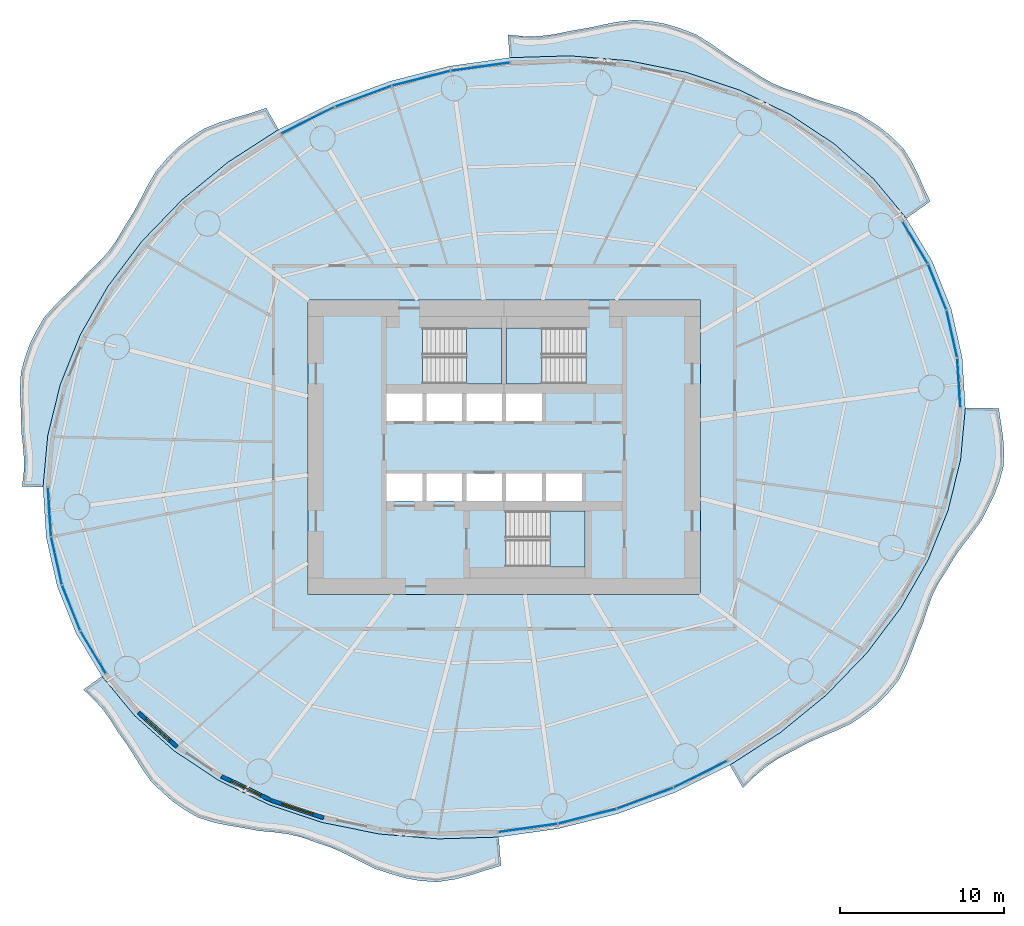
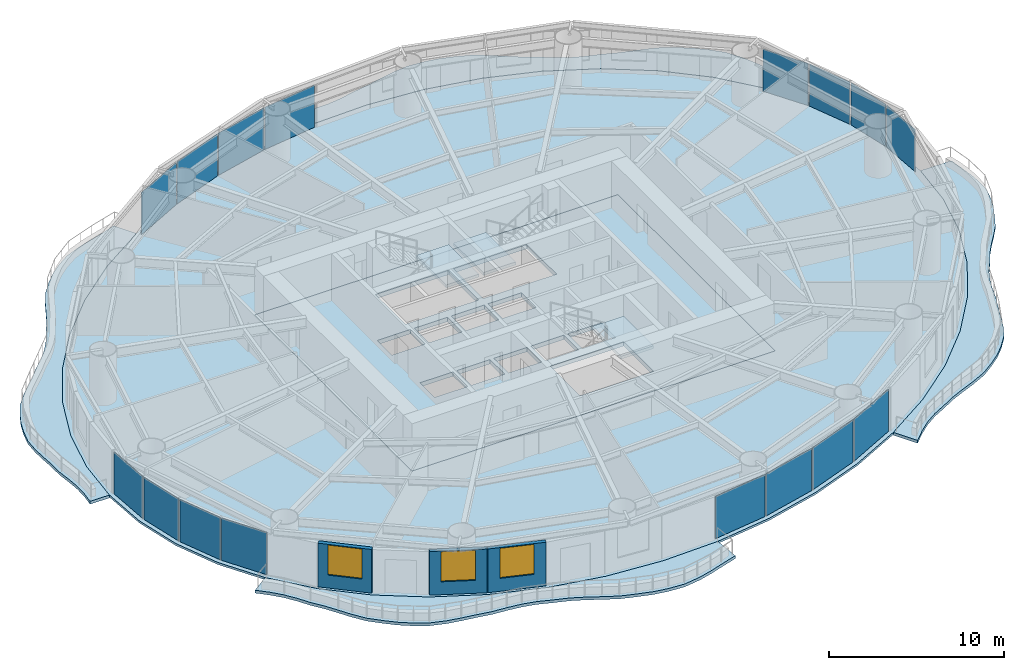
# One storey, part 7 of 16: 16 plates, 9 slabs, 3 walls, 3 windows, 3 openings, 19 elements without a shape of their own.
"""IFC4 building model written with IfcOpenShell, lengths in metres."""

from ifc_helpers import new_model, si_unit, direction, frame, frame_2d, origin, origin_2d, place, context, subcontext, project, spatial, polyline, rectangle, outline, extrude, material, layer, layer_set, type_object, element, fill, aggregate, save


model = new_model("IFC4")

# Units and contexts
model_context = context("Model", 3, precision=1e-05, world=origin(), true_north=direction((0.0, 1.0)))
body_context = subcontext(model_context, "Body", "Model", "MODEL_VIEW")
ifc_project = project(units=[si_unit("LENGTHUNIT", "METRE"), si_unit("AREAUNIT", "SQUARE_METRE"), si_unit("VOLUMEUNIT", "CUBIC_METRE"), si_unit("PLANEANGLEUNIT", "RADIAN"), si_unit("MASSUNIT", "GRAM", prefix="KILO")], contexts=[model_context])

# Site, building, storey
site_placement = place(None, origin())
site = spatial("IfcSite", under=ifc_project, at=site_placement, CompositionType="ELEMENT")
building_placement = place(site_placement, origin())
building = spatial("IfcBuilding", under=site, at=building_placement, Name="Vermilion Reach Broadcast Tower", CompositionType="ELEMENT")
storey_placement = place(building_placement, frame((0.0, 0.0, 103.0)))
storey = spatial("IfcBuildingStorey", under=building, at=storey_placement, Name="L23", CompositionType="ELEMENT", Elevation=103.0)

# Slabs
ifc_material_1 = material(Name="Concrete C40/50", Category="concrete")
ifc_layer_1 = layer(ifc_material_1, 0.199951171875)
ifc_layer_set_1 = layer_set([ifc_layer_1], Name="Balcony slab 200")
slab_type_1 = type_object("IfcSlabType", Name="Balcony slab 200", PredefinedType="FLOOR", material=ifc_layer_set_1)
placement_1 = place(storey_placement, frame((0.0, 0.0, -0.199951171875)))
element("IfcSlab", 1, at=placement_1, inside=storey, type_object=slab_type_1, Name="Balcony slab L23 group 1", PredefinedType="FLOOR", context=body_context, shape_type="SweptSolid", body=[
    extrude(outline(polyline([(18.583984375, 14.001953125), (16.572998046875, 16.417236328125), (14.175537109375, 18.5517578125), (11.432861328125, 20.368896484375), (8.39208984375, 21.83740234375), (5.10498046875, 22.932373046875), (1.6279296875, 23.634765625), (-1.979736328125, 23.932861328125), (-5.656005859375, 23.821533203125), (-5.776123046875, 25.227294921875), (-4.775634765625, 25.127197265625), (-3.85595703125, 25.13134765625), (-2.939453125, 25.245849609375), (-1.93994140625, 25.459716796875), (-0.931884765625, 25.623779296875), (-0.00732421875, 25.822509765625), (0.915771484375, 26.00634765625), (1.98095703125, 26.123779296875), (3.017578125, 26.0341796875), (3.89013671875, 25.875244140625), (4.742431640625, 25.61572265625), (5.719970703125, 25.2392578125), (6.606201171875, 24.697998046875), (7.34521484375, 24.176025390625), (8.087158203125, 23.662353515625), (8.929931640625, 23.161865234375), (9.71533203125, 22.6357421875), (10.456298828125, 22.228759765625), (11.238037109375, 21.90625), (12.145263671875, 21.6201171875), (13.0224609375, 21.278564453125), (13.84033203125, 21.024169921875), (14.663818359375, 20.77783203125), (15.614501953125, 20.419921875), (16.453369140625, 19.903564453125), (17.120849609375, 19.4462890625), (17.73388671875, 18.927978515625), (18.434326171875, 18.218017578125), (18.954833984375, 17.378173828125), (19.307861328125, 16.6494140625), (19.6337890625, 15.8984375), (20.041748046875, 15.0361328125), (18.583984375, 14.001953125)])), origin(), (0.0, 0.0, 1.0), 0.199951171875),
])
element("IfcSlab", 2, at=placement_1, inside=storey, type_object=slab_type_1, Name="Balcony slab L23 group 2", PredefinedType="FLOOR", context=body_context, shape_type="SweptSolid", body=[
    extrude(outline(polyline([(-19.79638671875, 19.422607421875), (-22.88720703125, 17.428955078125), (-25.689208984375, 15.136962890625), (-28.154052734375, 12.5859375), (-30.239990234375, 9.819580078125), (-31.9111328125, 6.88525390625), (-33.13916015625, 3.8330078125), (-33.902587890625, 0.71533203125), (-34.1884765625, -2.414794921875), (-35.4677734375, -2.39697265625), (-35.36376953125, -1.518310546875), (-35.349609375, -0.73046875), (-35.40966796875, 0.06396484375), (-35.517578125, 0.9853515625), (-35.5244140625, 1.938720703125), (-35.570068359375, 2.77587890625), (-35.5966796875, 3.608642578125), (-35.53564453125, 4.604248046875), (-35.26513671875, 5.574951171875), (-34.981689453125, 6.347412109375), (-34.615966796875, 7.086669921875), (-34.11328125, 7.94921875), (-33.4287109375, 8.720947265625), (-32.793701171875, 9.330810546875), (-32.155517578125, 9.93896484375), (-31.495849609375, 10.645751953125), (-30.78369140625, 11.314208984375), (-30.198974609375, 11.958251953125), (-29.692626953125, 12.6611328125), (-29.211181640625, 13.4892578125), (-28.67919921875, 14.326416015625), (-28.24462890625, 15.139892578125), (-27.82177734375, 15.964599609375), (-27.286376953125, 16.8720703125), (-26.598876953125, 17.67822265625), (-25.9599609375, 18.32666015625), (-25.25390625, 18.892822265625), (-24.37158203125, 19.4677734375), (-23.368408203125, 19.87109375), (-22.453369140625, 20.148681640625), (-21.529541015625, 20.4130859375), (-20.551025390625, 20.74658203125), (-19.79638671875, 19.422607421875)])), origin(), (0.0, 0.0, 1.0), 0.199951171875),
])
element("IfcSlab", 3, at=placement_1, inside=storey, type_object=slab_type_1, Name="Balcony slab L23 group 3", PredefinedType="FLOOR", context=body_context, shape_type="SweptSolid", body=[
    extrude(outline(polyline([(-30.583984375, -14.001953125), (-28.572998046875, -16.417236328125), (-26.175537109375, -18.5517578125), (-23.432861328125, -20.368896484375), (-20.39208984375, -21.83740234375), (-17.10498046875, -22.932373046875), (-13.6279296875, -23.634765625), (-10.020263671875, -23.932861328125), (-6.343994140625, -23.821533203125), (-6.1953125, -25.5634765625), (-7.20166015625, -25.871826171875), (-8.11279296875, -26.16552734375), (-9.025390625, -26.405517578125), (-10.0888671875, -26.562255859375), (-11.139892578125, -26.4931640625), (-12.03466796875, -26.330078125), (-12.92138671875, -26.073974609375), (-13.927001953125, -25.742919921875), (-14.864990234375, -25.279296875), (-15.683837890625, -24.853759765625), (-16.5126953125, -24.478759765625), (-17.434326171875, -24.168212890625), (-18.322998046875, -23.847900390625), (-19.16845703125, -23.6455078125), (-20.041748046875, -23.5263671875), (-21.040283203125, -23.433837890625), (-22.01025390625, -23.246826171875), (-22.87939453125, -23.105224609375), (-23.732666015625, -22.930419921875), (-24.715087890625, -22.620849609375), (-25.581298828125, -22.1220703125), (-26.25244140625, -21.64599609375), (-26.876220703125, -21.098388671875), (-27.598876953125, -20.39990234375), (-28.17236328125, -19.587646484375), (-28.609619140625, -18.8720703125), (-29.054443359375, -18.164794921875), (-29.605224609375, -17.416015625), (-30.077880859375, -16.64794921875), (-30.539794921875, -16.010009765625), (-31.064208984375, -15.42431640625), (-31.717529296875, -14.80615234375), (-30.583984375, -14.001953125)])), origin(), (0.0, 0.0, 1.0), 0.199951171875),
])
element("IfcSlab", 4, at=placement_1, inside=storey, type_object=slab_type_1, Name="Balcony slab L23 group 4", PredefinedType="FLOOR", context=body_context, shape_type="SweptSolid", body=[
    extrude(outline(polyline([(7.79638671875, -19.422607421875), (10.88720703125, -17.428955078125), (13.689208984375, -15.136962890625), (16.154052734375, -12.5859375), (18.239990234375, -9.819580078125), (19.9111328125, -6.88525390625), (21.13916015625, -3.8330078125), (21.902587890625, -0.71533203125), (22.1884765625, 2.414794921875), (24.228271484375, 2.386474609375), (24.3701171875, 1.42626953125), (24.490234375, 0.626220703125), (24.5517578125, -0.16845703125), (24.521240234375, -1.153076171875), (24.2607421875, -2.118896484375), (23.9677734375, -2.87353515625), (23.60791015625, -3.611328125), (23.1650390625, -4.485107421875), (22.570556640625, -5.29541015625), (22.041259765625, -5.968994140625), (21.54931640625, -6.65771484375), (21.085693359375, -7.45263671875), (20.579833984375, -8.237548828125), (20.198974609375, -8.9921875), (19.89501953125, -9.79052734375), (19.6005859375, -10.714599609375), (19.21728515625, -11.641357421875), (18.905029296875, -12.490478515625), (18.571533203125, -13.323974609375), (18.09619140625, -14.24560546875), (17.4375, -15.059326171875), (16.813720703125, -15.689697265625), (16.117431640625, -16.250244140625), (15.26611328125, -16.849853515625), (14.298095703125, -17.310546875), (13.423828125, -17.671142578125), (12.564697265625, -18.05029296875), (11.686279296875, -18.5263671875), (10.796630859375, -18.98486328125), (10.031005859375, -19.494140625), (9.32373046875, -20.09375), (8.590576171875, -20.81591796875), (7.79638671875, -19.422607421875)])), origin(), (0.0, 0.0, 1.0), 0.199951171875),
])
ifc_material_2 = material(Name="Concrete C40", Category="concrete")
ifc_layer_2 = layer(ifc_material_2, 0.300048828125)
ifc_layer_set_2 = layer_set([ifc_layer_2], Name="Core floor slab 300 mm Concrete C40")
slab_type_2 = type_object("IfcSlabType", Name="Core floor slab 300 mm Concrete C40", PredefinedType="FLOOR", material=ifc_layer_set_2)
slab_5_placement = place(storey_placement, frame((0.0, 0.0, -0.300048828125)))
element("IfcSlab", 5, at=slab_5_placement, inside=storey, type_object=slab_type_2, Name="L23 core floor", PredefinedType="FLOOR", context=body_context, shape_type="SweptSolid", body=[
    extrude(outline(polyline([(-18.0, -9.0), (6.0, -9.0), (6.0, 9.0), (-18.0, 9.0), (-18.0, -9.0)]), holes=[polyline([(-13.199951171875, 1.60009765625), (-11.00830078125, 1.60009765625), (-11.00830078125, 3.280029296875), (-13.199951171875, 3.280029296875), (-13.199951171875, 1.60009765625)]), polyline([(-10.75830078125, 1.60009765625), (-8.566650390625, 1.60009765625), (-8.566650390625, 3.280029296875), (-10.75830078125, 3.280029296875), (-10.75830078125, 1.60009765625)]), polyline([(-8.316650390625, 1.60009765625), (-6.125, 1.60009765625), (-6.125, 3.280029296875), (-8.316650390625, 3.280029296875), (-8.316650390625, 1.60009765625)]), polyline([(-5.875, 1.60009765625), (-3.683349609375, 1.60009765625), (-3.683349609375, 3.280029296875), (-5.875, 3.280029296875), (-5.875, 1.60009765625)]), polyline([(-13.199951171875, -3.280029296875), (-11.00830078125, -3.280029296875), (-11.00830078125, -1.60009765625), (-13.199951171875, -1.60009765625), (-13.199951171875, -3.280029296875)]), polyline([(-10.75830078125, -3.280029296875), (-8.566650390625, -3.280029296875), (-8.566650390625, -1.60009765625), (-10.75830078125, -1.60009765625), (-10.75830078125, -3.280029296875)]), polyline([(-8.316650390625, -3.280029296875), (-6.125, -3.280029296875), (-6.125, -1.60009765625), (-8.316650390625, -1.60009765625), (-8.316650390625, -3.280029296875)]), polyline([(-5.875, -3.280029296875), (-3.683349609375, -3.280029296875), (-3.683349609375, -1.60009765625), (-5.875, -1.60009765625), (-5.875, -3.280029296875)]), polyline([(-3.433349609375, -3.280029296875), (-1.24169921875, -3.280029296875), (-1.24169921875, -1.60009765625), (-3.433349609375, -1.60009765625), (-3.433349609375, -3.280029296875)]), polyline([(-10.999267578125, 3.8798828125), (-6.14990234375, 3.8798828125), (-6.14990234375, 7.300048828125), (-10.999267578125, 7.300048828125), (-10.999267578125, 3.8798828125)]), polyline([(-1.000732421875, 7.300048828125), (-5.85009765625, 7.300048828125), (-5.85009765625, 3.8798828125), (-1.000732421875, 3.8798828125), (-1.000732421875, 7.300048828125)]), polyline([(-5.8994140625, -7.300048828125), (-1.050048828125, -7.300048828125), (-1.050048828125, -3.8798828125), (-5.8994140625, -3.8798828125), (-5.8994140625, -7.300048828125)])]), origin(), (0.0, 0.0, 1.0), 0.300048828125),
])

# Stair, slab
ifc_material_3 = material(Name="Concrete C40", Category="concrete")
stair_type = type_object("IfcStairType", Name="Exit stair RC 22 risers 164 mm", PredefinedType="HALF_TURN_STAIR", material=ifc_material_3)
placement_2 = place(storey_placement, origin())
stair_1 = element("IfcStair", 6, at=placement_2, inside=storey, type_object=stair_type, Name="L23 Exit stair ST1", PredefinedType="HALF_TURN_STAIR")
ifc_material_4 = material(Name="Concrete C40", Category="concrete")
ifc_layer_3 = layer(ifc_material_4, 0.199951171875)
ifc_layer_set_3 = layer_set([ifc_layer_3], Name="Exit stair landing Concrete C40")
slab_type_3 = type_object("IfcSlabType", Name="Exit stair landing Concrete C40", PredefinedType="LANDING", material=ifc_layer_set_3)
placement_3 = place(storey_placement, frame((0.0, 0.0, 1.60009765625)))
slab_6 = element("IfcSlab", 7, at=placement_3, type_object=slab_type_3, Name="ST1 landing 1", PredefinedType="LANDING", context=body_context, shape_type="SweptSolid", body=[
    extrude(outline(polyline([(-8.300048828125, 3.8798828125), (-6.14990234375, 3.8798828125), (-6.14990234375, 7.300048828125), (-8.300048828125, 7.300048828125), (-8.300048828125, 3.8798828125)])), origin(), (0.0, 0.0, 1.0), 0.199951171875),
])
aggregate(stair_1, [slab_6])

stair_2 = element("IfcStair", 8, at=placement_2, inside=storey, type_object=stair_type, Name="L23 Exit stair ST2", PredefinedType="HALF_TURN_STAIR")
slab_7 = element("IfcSlab", 9, at=placement_3, type_object=slab_type_3, Name="ST2 landing 1", PredefinedType="LANDING", context=body_context, shape_type="SweptSolid", body=[
    extrude(outline(polyline([(-3.699951171875, 7.300048828125), (-5.85009765625, 7.300048828125), (-5.85009765625, 3.8798828125), (-3.699951171875, 3.8798828125), (-3.699951171875, 7.300048828125)])), origin(), (0.0, 0.0, 1.0), 0.199951171875),
])
aggregate(stair_2, [slab_7])

stair_3 = element("IfcStair", 10, at=placement_2, inside=storey, type_object=stair_type, Name="L23 Exit stair ST3", PredefinedType="HALF_TURN_STAIR")
slab_8 = element("IfcSlab", 11, at=placement_3, type_object=slab_type_3, Name="ST3 landing 1", PredefinedType="LANDING", context=body_context, shape_type="SweptSolid", body=[
    extrude(outline(polyline([(-3.199951171875, -7.300048828125), (-1.050048828125, -7.300048828125), (-1.050048828125, -3.8798828125), (-3.199951171875, -3.8798828125), (-3.199951171875, -7.300048828125)])), origin(), (0.0, 0.0, 1.0), 0.199951171875),
])
aggregate(stair_3, [slab_8])

# Slab
ifc_material_5 = material(Name="Concrete C40", Category="concrete")
ifc_layer_4 = layer(ifc_material_5, 0.14990234375)
ifc_layer_set_4 = layer_set([ifc_layer_4], Name="Floor slab Concrete C40 composite 150")
slab_type_4 = type_object("IfcSlabType", Name="Floor slab Concrete C40 composite 150", PredefinedType="FLOOR", material=ifc_layer_set_4)
slab_9_placement = place(storey_placement, frame((0.0, 0.0, -0.14990234375)))
element("IfcSlab", 12, at=slab_9_placement, inside=storey, type_object=slab_type_4, Name="Floor slab L23", PredefinedType="FLOOR", context=body_context, shape_type="SweptSolid", body=[
    extrude(outline(polyline([(21.317138671875, 8.497802734375), (20.174560546875, 11.346923828125), (18.583984375, 14.001953125), (16.572998046875, 16.417236328125), (14.175537109375, 18.5517578125), (11.432861328125, 20.368896484375), (8.39208984375, 21.83740234375), (5.10498046875, 22.932373046875), (1.6279296875, 23.634765625), (-1.979736328125, 23.932861328125), (-5.656005859375, 23.821533203125), (-9.33837890625, 23.302490234375), (-12.963623046875, 22.384765625), (-16.469482421875, 21.084228515625), (-19.79638671875, 19.422607421875), (-22.88720703125, 17.428955078125), (-25.689208984375, 15.136962890625), (-28.154052734375, 12.5859375), (-30.239990234375, 9.819580078125), (-31.9111328125, 6.88525390625), (-33.13916015625, 3.8330078125), (-33.902587890625, 0.71533203125), (-34.1884765625, -2.414794921875), (-33.992431640625, -5.50341796875), (-33.317138671875, -8.497802734375), (-32.174560546875, -11.346923828125), (-30.583984375, -14.001953125), (-28.572998046875, -16.417236328125), (-26.175537109375, -18.5517578125), (-23.432861328125, -20.368896484375), (-20.39208984375, -21.83740234375), (-17.10498046875, -22.932373046875), (-13.6279296875, -23.634765625), (-10.020263671875, -23.932861328125), (-6.343994140625, -23.821533203125), (-2.66162109375, -23.302490234375), (0.963623046875, -22.384765625), (4.469482421875, -21.084228515625), (7.79638671875, -19.422607421875), (10.88720703125, -17.428955078125), (13.689208984375, -15.136962890625), (16.154052734375, -12.5859375), (18.239990234375, -9.819580078125), (19.9111328125, -6.88525390625), (21.13916015625, -3.8330078125), (21.902587890625, -0.71533203125), (22.1884765625, 2.414794921875), (21.992431640625, 5.50341796875), (21.317138671875, 8.497802734375)]), holes=[polyline([(-18.0, -9.0), (6.0, -9.0), (6.0, 9.0), (-18.0, 9.0), (-18.0, -9.0)])]), origin(), (0.0, 0.0, 1.0), 0.14990234375),
])

# Curtain wall, plate
ifc_material_6 = material(Name="Low-e laminated clear glass in aluminium frame", Category="aluminium")
curtain_wall_type = type_object("IfcCurtainWallType", Name="Slot curtain wall", PredefinedType="NOTDEFINED", material=ifc_material_6)
curtain_wall_1 = element("IfcCurtainWall", 13, at=placement_2, inside=storey, type_object=curtain_wall_type, Name="Slot curtain wall L23 46", PredefinedType="NOTDEFINED")
ifc_material_7 = material(Name="Low-e laminated clear glass", Category="glass")
ifc_layer_5 = layer(ifc_material_7, 0.028076171875)
ifc_layer_set_5 = layer_set([ifc_layer_5], Name="Slot glass panel")
plate_type = type_object("IfcPlateType", Name="Slot glass panel", PredefinedType="CURTAIN_PANEL", material=ifc_layer_set_5)
plate_1_placement = place(storey_placement, frame((21.7919921875, 3.93994140625, 0.0), z_axis=(0.0, 0.0, 1.0), x_axis=(-0.063408598008, 0.997987650073, 0.0)))
plate_1 = element("IfcPlate", 14, at=plate_1_placement, type_object=plate_type, Name="Slot glass panel L23 46", PredefinedType="CURTAIN_PANEL", context=body_context, shape_type="SweptSolid", body=[
    extrude(rectangle(XDim=2.968017578125, YDim=0.028076171875, at=origin_2d()), origin(), (0.0, 0.0, 1.0), 2.949951171875),
])
aggregate(curtain_wall_1, [plate_1])

curtain_wall_2 = element("IfcCurtainWall", 15, at=placement_2, inside=storey, type_object=curtain_wall_type, Name="Slot curtain wall L23 47", PredefinedType="NOTDEFINED")
plate_2_placement = place(storey_placement, frame((21.363037109375, 6.934814453125, 0.0), z_axis=(0.0, 0.0, 1.0), x_axis=(-0.219961471923, 0.975508560121, 0.0)))
plate_2 = element("IfcPlate", 16, at=plate_2_placement, type_object=plate_type, Name="Slot glass panel L23 47", PredefinedType="CURTAIN_PANEL", context=body_context, shape_type="SweptSolid", body=[
    extrude(rectangle(XDim=2.94189453125, YDim=0.028076171875, at=origin_2d()), origin(), (0.0, 0.0, 1.0), 2.949951171875),
])
aggregate(curtain_wall_2, [plate_2])

curtain_wall_3 = element("IfcCurtainWall", 17, at=placement_2, inside=storey, type_object=curtain_wall_type, Name="Slot curtain wall L23 00", PredefinedType="NOTDEFINED")
plate_3_placement = place(storey_placement, frame((20.46826171875, 9.81103515625, 0.0), z_axis=(0.0, 0.0, 1.0), x_axis=(-0.372230241987, 0.928140424155, 0.0)))
plate_3 = element("IfcPlate", 18, at=plate_3_placement, type_object=plate_type, Name="Slot glass panel L23 00", PredefinedType="CURTAIN_PANEL", context=body_context, shape_type="SweptSolid", body=[
    extrude(rectangle(XDim=2.94189453125, YDim=0.028076171875, at=origin_2d()), origin(), (0.0, 0.0, 1.0), 2.949951171875),
])
aggregate(curtain_wall_3, [plate_3])

curtain_wall_4 = element("IfcCurtainWall", 19, at=placement_2, inside=storey, type_object=curtain_wall_type, Name="Slot curtain wall L23 01", PredefinedType="NOTDEFINED")
plate_4_placement = place(storey_placement, frame((19.12255859375, 12.52099609375, 0.0), z_axis=(0.0, 0.0, 1.0), x_axis=(-0.513908254626, 0.857845152593, 0.0)))
plate_4 = element("IfcPlate", 20, at=plate_4_placement, type_object=plate_type, Name="Slot glass panel L23 01", PredefinedType="CURTAIN_PANEL", context=body_context, shape_type="SweptSolid", body=[
    extrude(rectangle(XDim=2.968017578125, YDim=0.028076171875, at=origin_2d()), origin(), (0.0, 0.0, 1.0), 2.949951171875),
])
aggregate(curtain_wall_4, [plate_4])

curtain_wall_5 = element("IfcCurtainWall", 21, at=placement_2, inside=storey, type_object=curtain_wall_type, Name="Slot curtain wall L23 10", PredefinedType="NOTDEFINED")
plate_5_placement = place(storey_placement, frame((-7.45556640625, 23.265380859375, 0.0), z_axis=(0.0, 0.0, 1.0), x_axis=(-0.990213490397, -0.139560895081, 0.0)))
plate_5 = element("IfcPlate", 22, at=plate_5_placement, type_object=plate_type, Name="Slot glass panel L23 10", PredefinedType="CURTAIN_PANEL", context=body_context, shape_type="SweptSolid", body=[
    extrude(rectangle(XDim=3.606201171875, YDim=0.028076171875, at=origin_2d()), origin(), (0.0, 0.0, 1.0), 2.949951171875),
])
aggregate(curtain_wall_5, [plate_5])

curtain_wall_6 = element("IfcCurtainWall", 23, at=placement_2, inside=storey, type_object=curtain_wall_type, Name="Slot curtain wall L23 11", PredefinedType="NOTDEFINED")
plate_6_placement = place(storey_placement, frame((-11.077392578125, 22.55322265625, 0.0), z_axis=(0.0, 0.0, 1.0), x_axis=(-0.969420975474, -0.245403692538, 0.0)))
plate_6 = element("IfcPlate", 24, at=plate_6_placement, type_object=plate_type, Name="Slot glass panel L23 11", PredefinedType="CURTAIN_PANEL", context=body_context, shape_type="SweptSolid", body=[
    extrude(rectangle(XDim=3.627197265625, YDim=0.028076171875, at=origin_2d()), origin(), (0.0, 0.0, 1.0), 2.949951171875),
])
aggregate(curtain_wall_6, [plate_6])

curtain_wall_7 = element("IfcCurtainWall", 25, at=placement_2, inside=storey, type_object=curtain_wall_type, Name="Slot curtain wall L23 12", PredefinedType="NOTDEFINED")
plate_7_placement = place(storey_placement, frame((-14.6123046875, 21.45361328125, 0.0), z_axis=(0.0, 0.0, 1.0), x_axis=(-0.937559599997, -0.347824663377, 0.0)))
plate_7 = element("IfcPlate", 26, at=plate_7_placement, type_object=plate_type, Name="Slot glass panel L23 12", PredefinedType="CURTAIN_PANEL", context=body_context, shape_type="SweptSolid", body=[
    extrude(rectangle(XDim=3.627197265625, YDim=0.028076171875, at=origin_2d()), origin(), (0.0, 0.0, 1.0), 2.949951171875),
])
aggregate(curtain_wall_7, [plate_7])

curtain_wall_8 = element("IfcCurtainWall", 27, at=placement_2, inside=storey, type_object=curtain_wall_type, Name="Slot curtain wall L23 13", PredefinedType="NOTDEFINED")
plate_8_placement = place(storey_placement, frame((-17.9990234375, 19.9853515625, 0.0), z_axis=(0.0, 0.0, 1.0), x_axis=(-0.894641840809, -0.446784038069, 0.0)))
plate_8 = element("IfcPlate", 28, at=plate_8_placement, type_object=plate_type, Name="Slot glass panel L23 13", PredefinedType="CURTAIN_PANEL", context=body_context, shape_type="SweptSolid", body=[
    extrude(rectangle(XDim=3.606201171875, YDim=0.028076171875, at=origin_2d()), origin(), (0.0, 0.0, 1.0), 2.949951171875),
])
aggregate(curtain_wall_8, [plate_8])

curtain_wall_9 = element("IfcCurtainWall", 29, at=placement_2, inside=storey, type_object=curtain_wall_type, Name="Slot curtain wall L23 22", PredefinedType="NOTDEFINED")
plate_9_placement = place(storey_placement, frame((-33.7919921875, -3.93994140625, 0.0), z_axis=(0.0, 0.0, 1.0), x_axis=(0.063408598008, -0.997987650073, 0.0)))
plate_9 = element("IfcPlate", 30, at=plate_9_placement, type_object=plate_type, Name="Slot glass panel L23 22", PredefinedType="CURTAIN_PANEL", context=body_context, shape_type="SweptSolid", body=[
    extrude(rectangle(XDim=2.968017578125, YDim=0.028076171875, at=origin_2d()), origin(), (0.0, 0.0, 1.0), 2.949951171875),
])
aggregate(curtain_wall_9, [plate_9])

curtain_wall_10 = element("IfcCurtainWall", 31, at=placement_2, inside=storey, type_object=curtain_wall_type, Name="Slot curtain wall L23 23", PredefinedType="NOTDEFINED")
plate_10_placement = place(storey_placement, frame((-33.363037109375, -6.934814453125, 0.0), z_axis=(0.0, 0.0, 1.0), x_axis=(0.219961471923, -0.975508560121, 0.0)))
plate_10 = element("IfcPlate", 32, at=plate_10_placement, type_object=plate_type, Name="Slot glass panel L23 23", PredefinedType="CURTAIN_PANEL", context=body_context, shape_type="SweptSolid", body=[
    extrude(rectangle(XDim=2.94189453125, YDim=0.028076171875, at=origin_2d()), origin(), (0.0, 0.0, 1.0), 2.949951171875),
])
aggregate(curtain_wall_10, [plate_10])

curtain_wall_11 = element("IfcCurtainWall", 33, at=placement_2, inside=storey, type_object=curtain_wall_type, Name="Slot curtain wall L23 24", PredefinedType="NOTDEFINED")
plate_11_placement = place(storey_placement, frame((-32.46826171875, -9.81103515625, 0.0), z_axis=(0.0, 0.0, 1.0), x_axis=(0.372230241987, -0.928140424155, 0.0)))
plate_11 = element("IfcPlate", 34, at=plate_11_placement, type_object=plate_type, Name="Slot glass panel L23 24", PredefinedType="CURTAIN_PANEL", context=body_context, shape_type="SweptSolid", body=[
    extrude(rectangle(XDim=2.94189453125, YDim=0.028076171875, at=origin_2d()), origin(), (0.0, 0.0, 1.0), 2.949951171875),
])
aggregate(curtain_wall_11, [plate_11])

curtain_wall_12 = element("IfcCurtainWall", 35, at=placement_2, inside=storey, type_object=curtain_wall_type, Name="Slot curtain wall L23 25", PredefinedType="NOTDEFINED")
plate_12_placement = place(storey_placement, frame((-31.12255859375, -12.52099609375, 0.0), z_axis=(0.0, 0.0, 1.0), x_axis=(0.513908254626, -0.857845152593, 0.0)))
plate_12 = element("IfcPlate", 36, at=plate_12_placement, type_object=plate_type, Name="Slot glass panel L23 25", PredefinedType="CURTAIN_PANEL", context=body_context, shape_type="SweptSolid", body=[
    extrude(rectangle(XDim=2.968017578125, YDim=0.028076171875, at=origin_2d()), origin(), (0.0, 0.0, 1.0), 2.949951171875),
])
aggregate(curtain_wall_12, [plate_12])

curtain_wall_13 = element("IfcCurtainWall", 37, at=placement_2, inside=storey, type_object=curtain_wall_type, Name="Slot curtain wall L23 34", PredefinedType="NOTDEFINED")
plate_13_placement = place(storey_placement, frame((-4.54443359375, -23.265380859375, 0.0), z_axis=(0.0, 0.0, 1.0), x_axis=(0.990213490397, 0.139560895081, 0.0)))
plate_13 = element("IfcPlate", 38, at=plate_13_placement, type_object=plate_type, Name="Slot glass panel L23 34", PredefinedType="CURTAIN_PANEL", context=body_context, shape_type="SweptSolid", body=[
    extrude(rectangle(XDim=3.606201171875, YDim=0.028076171875, at=origin_2d()), origin(), (0.0, 0.0, 1.0), 2.949951171875),
])
aggregate(curtain_wall_13, [plate_13])

curtain_wall_14 = element("IfcCurtainWall", 39, at=placement_2, inside=storey, type_object=curtain_wall_type, Name="Slot curtain wall L23 35", PredefinedType="NOTDEFINED")
plate_14_placement = place(storey_placement, frame((-0.922607421875, -22.55322265625, 0.0), z_axis=(0.0, 0.0, 1.0), x_axis=(0.969420975474, 0.245403692538, 0.0)))
plate_14 = element("IfcPlate", 40, at=plate_14_placement, type_object=plate_type, Name="Slot glass panel L23 35", PredefinedType="CURTAIN_PANEL", context=body_context, shape_type="SweptSolid", body=[
    extrude(rectangle(XDim=3.627197265625, YDim=0.028076171875, at=origin_2d()), origin(), (0.0, 0.0, 1.0), 2.949951171875),
])
aggregate(curtain_wall_14, [plate_14])

curtain_wall_15 = element("IfcCurtainWall", 41, at=placement_2, inside=storey, type_object=curtain_wall_type, Name="Slot curtain wall L23 36", PredefinedType="NOTDEFINED")
plate_15_placement = place(storey_placement, frame((2.6123046875, -21.45361328125, 0.0), z_axis=(0.0, 0.0, 1.0), x_axis=(0.937559599997, 0.347824663377, 0.0)))
plate_15 = element("IfcPlate", 42, at=plate_15_placement, type_object=plate_type, Name="Slot glass panel L23 36", PredefinedType="CURTAIN_PANEL", context=body_context, shape_type="SweptSolid", body=[
    extrude(rectangle(XDim=3.627197265625, YDim=0.028076171875, at=origin_2d()), origin(), (0.0, 0.0, 1.0), 2.949951171875),
])
aggregate(curtain_wall_15, [plate_15])

curtain_wall_16 = element("IfcCurtainWall", 43, at=placement_2, inside=storey, type_object=curtain_wall_type, Name="Slot curtain wall L23 37", PredefinedType="NOTDEFINED")
plate_16_placement = place(storey_placement, frame((5.9990234375, -19.9853515625, 0.0), z_axis=(0.0, 0.0, 1.0), x_axis=(0.894641840809, 0.446784038069, 0.0)))
plate_16 = element("IfcPlate", 44, at=plate_16_placement, type_object=plate_type, Name="Slot glass panel L23 37", PredefinedType="CURTAIN_PANEL", context=body_context, shape_type="SweptSolid", body=[
    extrude(rectangle(XDim=3.606201171875, YDim=0.028076171875, at=origin_2d()), origin(), (0.0, 0.0, 1.0), 2.949951171875),
])
aggregate(curtain_wall_16, [plate_16])

# Wall, opening, window
ifc_material_8 = material(Name="Terracotta rainscreen cladding", Category="masonry")
ifc_layer_6 = layer(ifc_material_8, 0.25)
ifc_layer_set_6 = layer_set([ifc_layer_6], Name="Terracotta rainscreen wall 250")
wall_type = type_object("IfcWallType", Name="Terracotta rainscreen wall 250", PredefinedType="SOLIDWALL", material=ifc_layer_set_6)
wall_1_placement = place(storey_placement, frame((-28.347412109375, -16.217529296875, 0.0), z_axis=(0.0, 0.0, 1.0), x_axis=(0.746859935175, -0.664981381116, 0.0)))
wall_1 = element("IfcWall", 45, at=wall_1_placement, inside=storey, type_object=wall_type, Name="External wall L23 27", PredefinedType="SOLIDWALL", context=body_context, shape_type="SweptSolid", body=[
    extrude(rectangle(XDim=3.139892578125, YDim=0.25, at=frame_2d((1.56982421875, 0.0))), origin(), (0.0, 0.0, 1.0), 3.050048828125),
])
opening_1_placement = place(wall_1_placement, frame((0.570068359375, 0.0, 0.89990234375)))
opening_1 = element("IfcOpeningElement", 46, at=opening_1_placement, cuts=wall_1, Name="Opening W03", PredefinedType="OPENING", context=body_context, shape_type="SweptSolid", body=[
    extrude(rectangle(XDim=2.0, YDim=2.10009765625, at=frame_2d((1.0, 1.050048828125))), frame((0.0, 0.135009765625, 0.0), z_axis=(0.0, -1.0, 0.0), x_axis=(1.0, 0.0, 0.0)), (0.0, 0.0, 1.0), 0.27001953125),
])
ifc_material_9 = material(Name="Low-e laminated clear glass in aluminium frame", Category="aluminium")
window_type = type_object("IfcWindowType", Name="Punched window 2000 x 2100 sill 900", PartitioningType="SINGLE_PANEL", PredefinedType="WINDOW", material=ifc_material_9)
window_1_placement = place(opening_1_placement, origin())
window_1 = element("IfcWindow", 47, at=window_1_placement, inside=storey, type_object=window_type, Name="Window L23 27", OverallHeight=2.10009765625, OverallWidth=2.0, PartitioningType="SINGLE_PANEL", PredefinedType="WINDOW", context=body_context, shape_type="SweptSolid", body=[
    extrude(rectangle(XDim=2.0, YDim=2.10009765625, at=frame_2d((1.0, 1.050048828125))), frame((0.0, 0.030029296875, 0.0), z_axis=(0.0, -1.0, 0.0), x_axis=(1.0, 0.0, 0.0)), (0.0, 0.0, 1.0), 0.06005859375),
])
fill(opening_1, window_1)

wall_2_placement = place(storey_placement, frame((-23.273681640625, -20.113525390625, 0.0), z_axis=(0.0, 0.0, 1.0), x_axis=(0.900502882427, -0.43485004167, 0.0)))
wall_2 = element("IfcWall", 48, at=wall_2_placement, inside=storey, type_object=wall_type, Name="External wall L23 29", PredefinedType="SOLIDWALL", context=body_context, shape_type="SweptSolid", body=[
    extrude(rectangle(XDim=3.31298828125, YDim=0.25, at=frame_2d((1.656494140625, 0.0))), origin(), (0.0, 0.0, 1.0), 3.050048828125),
])
opening_2_placement = place(wall_2_placement, frame((0.656494140625, 0.0, 0.89990234375)))
opening_2 = element("IfcOpeningElement", 49, at=opening_2_placement, cuts=wall_2, Name="Opening W03", PredefinedType="OPENING", context=body_context, shape_type="SweptSolid", body=[
    extrude(rectangle(XDim=2.0, YDim=2.10009765625, at=frame_2d((1.0, 1.050048828125))), frame((0.0, 0.135009765625, 0.0), z_axis=(0.0, -1.0, 0.0), x_axis=(1.0, 0.0, 0.0)), (0.0, 0.0, 1.0), 0.27001953125),
])
window_2_placement = place(opening_2_placement, origin())
window_2 = element("IfcWindow", 50, at=window_2_placement, inside=storey, type_object=window_type, Name="Window L23 29", OverallHeight=2.10009765625, OverallWidth=2.0, PartitioningType="SINGLE_PANEL", PredefinedType="WINDOW", context=body_context, shape_type="SweptSolid", body=[
    extrude(rectangle(XDim=2.0, YDim=2.10009765625, at=frame_2d((1.0, 1.050048828125))), frame((0.0, 0.030029296875, 0.0), z_axis=(0.0, -1.0, 0.0), x_axis=(1.0, 0.0, 0.0)), (0.0, 0.0, 1.0), 0.06005859375),
])
fill(opening_2, window_2)

wall_3_placement = place(storey_placement, frame((-20.26806640625, -21.563232421875, 0.0), z_axis=(0.0, 0.0, 1.0), x_axis=(0.948762176605, -0.315991031903, 0.0)))
wall_3 = element("IfcWall", 51, at=wall_3_placement, inside=storey, type_object=wall_type, Name="External wall L23 30", PredefinedType="SOLIDWALL", context=body_context, shape_type="SweptSolid", body=[
    extrude(rectangle(XDim=3.4033203125, YDim=0.25, at=frame_2d((1.70166015625, 0.0))), origin(), (0.0, 0.0, 1.0), 3.050048828125),
])
opening_3_placement = place(wall_3_placement, frame((0.70166015625, 0.0, 0.89990234375)))
opening_3 = element("IfcOpeningElement", 52, at=opening_3_placement, cuts=wall_3, Name="Opening W03", PredefinedType="OPENING", context=body_context, shape_type="SweptSolid", body=[
    extrude(rectangle(XDim=2.0, YDim=2.10009765625, at=frame_2d((1.0, 1.050048828125))), frame((0.0, 0.135009765625, 0.0), z_axis=(0.0, -1.0, 0.0), x_axis=(1.0, 0.0, 0.0)), (0.0, 0.0, 1.0), 0.27001953125),
])
window_3_placement = place(opening_3_placement, origin())
window_3 = element("IfcWindow", 53, at=window_3_placement, inside=storey, type_object=window_type, Name="Window L23 30", OverallHeight=2.10009765625, OverallWidth=2.0, PartitioningType="SINGLE_PANEL", PredefinedType="WINDOW", context=body_context, shape_type="SweptSolid", body=[
    extrude(rectangle(XDim=2.0, YDim=2.10009765625, at=frame_2d((1.0, 1.050048828125))), frame((0.0, 0.030029296875, 0.0), z_axis=(0.0, -1.0, 0.0), x_axis=(1.0, 0.0, 0.0)), (0.0, 0.0, 1.0), 0.06005859375),
])
fill(opening_3, window_3)

save(model, "model.ifc")
